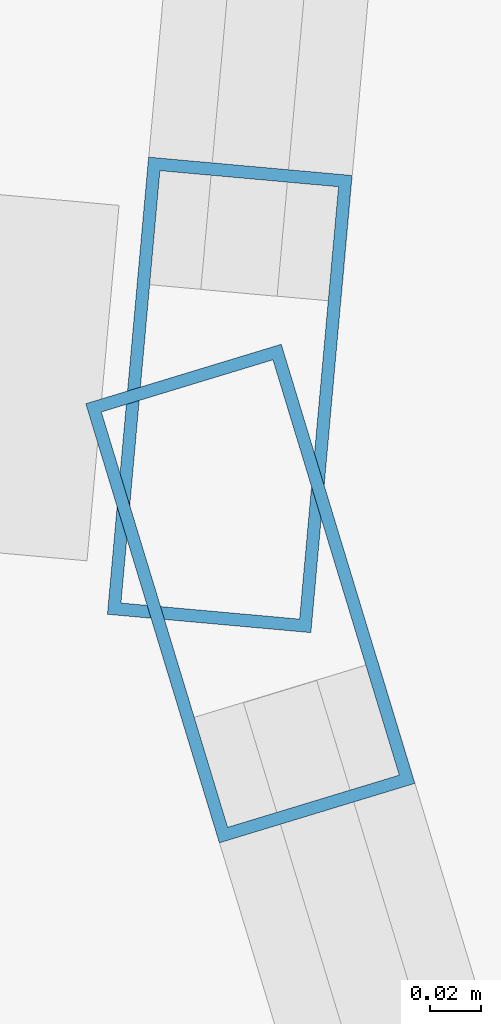
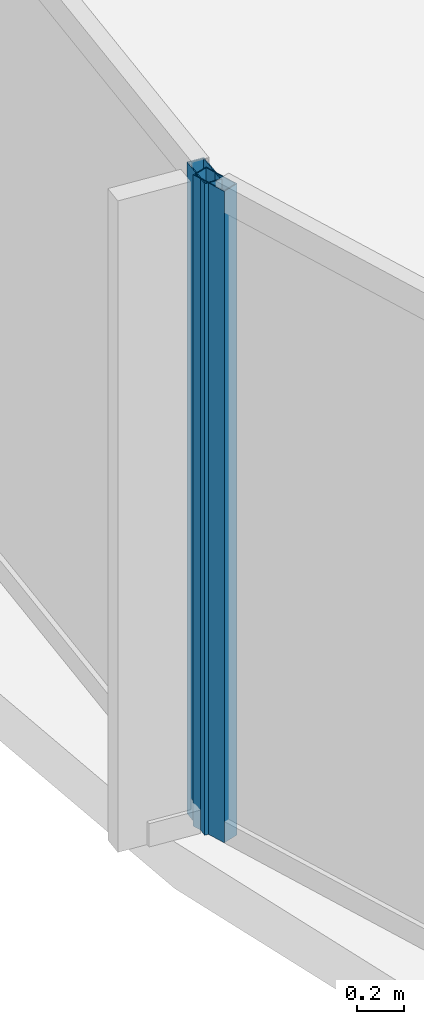
# One storey, part 8 of 33: 2 members, 2 elements without a shape of their own.
"""IFC4 building model written with IfcOpenShell, lengths in metres."""

from ifc_helpers import new_model, si_unit, direction, frame, origin, origin_2d, place, context, subcontext, project, spatial, hollow_rectangle, extrude, material, layer, layer_set, material_profile, profile_set, type_object, element, aggregate, save


model = new_model("IFC4")

# Units and contexts
model_context = context("Model", 3, precision=1e-05, world=origin(), true_north=direction((0.0, 1.0)))
body_context = subcontext(model_context, "Body", "Model", "MODEL_VIEW")
ifc_project = project(units=[si_unit("LENGTHUNIT", "METRE"), si_unit("AREAUNIT", "SQUARE_METRE"), si_unit("VOLUMEUNIT", "CUBIC_METRE"), si_unit("PLANEANGLEUNIT", "RADIAN"), si_unit("MASSUNIT", "GRAM", prefix="KILO")], contexts=[model_context])

# Site, building, storey
site_placement = place(None, origin())
site = spatial("IfcSite", under=ifc_project, at=site_placement, CompositionType="ELEMENT")
building_placement = place(site_placement, origin())
building = spatial("IfcBuilding", under=site, at=building_placement, Name="Kazevale Care Tower and Concert Hall", CompositionType="ELEMENT")
storey_placement = place(building_placement, frame((0.0, 0.0, 153.0)))
storey = spatial("IfcBuildingStorey", under=building, at=storey_placement, Name="L40", CompositionType="ELEMENT", Elevation=153.0)

# Curtain wall, member
ifc_material_1 = material(Name="Aluminium 6063-T6 and Low-E Glass", Category="aluminium")
ifc_layer = layer(ifc_material_1, 0.179931640625)
ifc_layer_set = layer_set([ifc_layer], Name="Aluminium 6063-T6 and Low-E Glass")
curtain_wall_type = type_object("IfcCurtainWallType", Name="Waist & Upper Residential Curtain Wall CW-4", PredefinedType="NOTDEFINED", material=ifc_layer_set)
curtain_wall_1_placement = place(storey_placement, origin())
curtain_wall_1 = element("IfcCurtainWall", 1, at=curtain_wall_1_placement, inside=storey, type_object=curtain_wall_type, Name="cw:L40:f12", PredefinedType="NOTDEFINED")
ifc_material_2 = material(Name="Aluminium 6063-T6", Category="aluminium")
ifc_material_profile = material_profile(ifc_material_2, hollow_rectangle(XDim=0.080078125, YDim=0.179931640625, WallThickness=0.0048828125, at=origin_2d()), Name="ALU80x180x5")
ifc_profile_set = profile_set([ifc_material_profile], Name="Aluminium 6063-T6")
member_type = type_object("IfcMemberType", Name="CW-4 Mullion ALU80x180x5", PredefinedType="MULLION", material=ifc_profile_set)
member_1_placement = place(storey_placement, frame((11.006591796875, 34.98583984375, 0.0), z_axis=(0.0, 0.0, 1.0), x_axis=(-0.956729897234, -0.290977496961, 0.0)))
member_1 = element("IfcMember", 2, at=member_1_placement, type_object=member_type, Name="CW-4 mullion 2", PredefinedType="MULLION", context=body_context, shape_type="SweptSolid", body=[
    extrude(hollow_rectangle(XDim=0.080078125, YDim=0.179931640625, WallThickness=0.0048828125, at=origin_2d()), origin(), (0.0, 0.0, 1.0), 3.360107421875),
])
aggregate(curtain_wall_1, [member_1])

curtain_wall_2_placement = place(storey_placement, origin())
curtain_wall_2 = element("IfcCurtainWall", 3, at=curtain_wall_2_placement, inside=storey, type_object=curtain_wall_type, Name="cw:L40:f13", PredefinedType="NOTDEFINED")
member_2_placement = place(storey_placement, frame((10.99853515625, 35.063720703125, 0.0), z_axis=(0.0, 0.0, 1.0), x_axis=(-0.995969703525, 0.089690298589, 0.0)))
member_2 = element("IfcMember", 4, at=member_2_placement, type_object=member_type, Name="CW-4 mullion 1", PredefinedType="MULLION", context=body_context, shape_type="SweptSolid", body=[
    extrude(hollow_rectangle(XDim=0.080078125, YDim=0.179931640625, WallThickness=0.0048828125, at=origin_2d()), origin(), (0.0, 0.0, 1.0), 3.360107421875),
])
aggregate(curtain_wall_2, [member_2])

save(model, "model.ifc")
